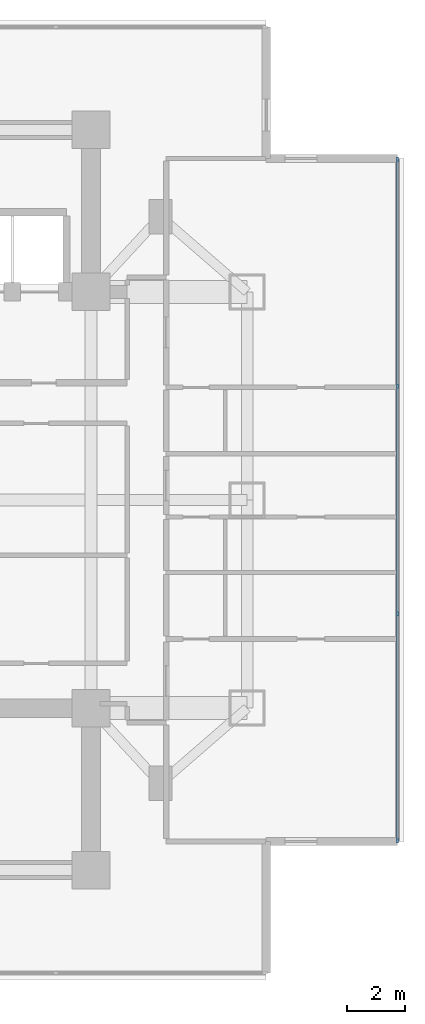
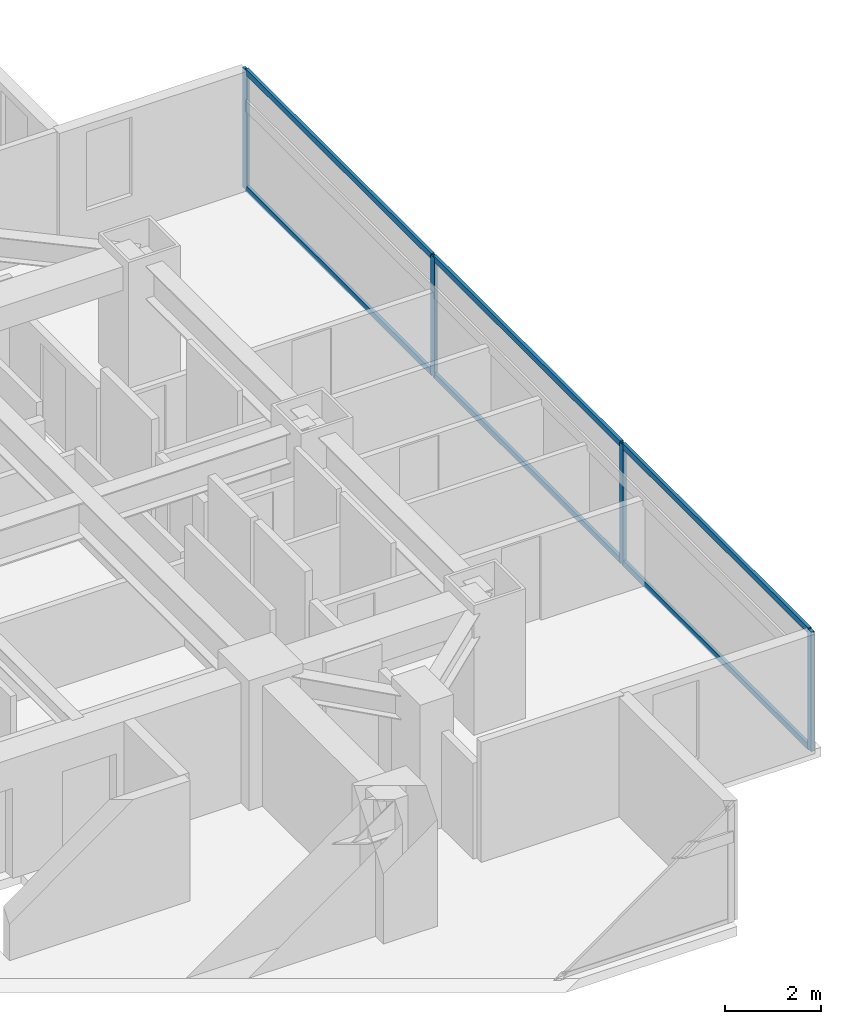
# One storey, part 11 of 27: 10 members, 1 element without a shape of its own.
"""IFC4 building model written with IfcOpenShell, lengths in metres."""

from ifc_helpers import new_model, si_unit, direction, frame, origin, origin_2d, place, context, subcontext, project, spatial, rectangle, extrude, material, material_profile, profile_set, type_object, element, aggregate, save


model = new_model("IFC4")

# Units and contexts
model_context = context("Model", 3, precision=1e-05, world=origin(), true_north=direction((0.0, 1.0)))
body_context = subcontext(model_context, "Body", "Model", "MODEL_VIEW")
ifc_project = project(units=[si_unit("LENGTHUNIT", "METRE"), si_unit("AREAUNIT", "SQUARE_METRE"), si_unit("VOLUMEUNIT", "CUBIC_METRE"), si_unit("PLANEANGLEUNIT", "RADIAN"), si_unit("MASSUNIT", "GRAM", prefix="KILO")], contexts=[model_context])

# Site, building, storey
site_placement = place(None, origin())
site = spatial("IfcSite", under=ifc_project, at=site_placement, CompositionType="ELEMENT")
building_placement = place(site_placement, origin())
building = spatial("IfcBuilding", under=site, at=building_placement, Name="Mirazonda Arch Towers", CompositionType="ELEMENT")
storey_placement = place(building_placement, frame((0.0, 0.0, 75.199951171875)))
storey = spatial("IfcBuildingStorey", under=building, at=storey_placement, Name="L21", CompositionType="ELEMENT", Elevation=75.199951171875)

# Curtain wall, members
ifc_material_1 = material(Name="Anodised Aluminium and Low-E Glass", Category="aluminium")
curtain_wall_type = type_object("IfcCurtainWallType", Name="CW-HTL-UNIT", PredefinedType="NOTDEFINED", material=ifc_material_1)
curtain_wall_placement = place(storey_placement, origin())
curtain_wall = element("IfcCurtainWall", 1, at=curtain_wall_placement, inside=storey, type_object=curtain_wall_type, Name="L21 T2 E Facade CW-L21-T2-E", PredefinedType="NOTDEFINED")
ifc_material_2 = material(Name="Anodised Aluminium Alloy", Category="aluminium")
ifc_material_profile_1 = material_profile(ifc_material_2, rectangle(XDim=0.074951171875, YDim=0.1650390625, at=origin_2d()), Name="ALU-MULL-75x165")
ifc_profile_set_1 = profile_set([ifc_material_profile_1], Name="Anodised Aluminium Alloy")
member_type_1 = type_object("IfcMemberType", Name="MULL-CW-HTL-UNIT", PredefinedType="MULLION", material=ifc_profile_set_1)
member_1_placement = place(storey_placement, frame((95.60595703125, 16.224365234375, 0.0), z_axis=(0.0, 0.0, 1.0), x_axis=(-1.0, 0.0, 0.0)))
member_1 = element("IfcMember", 2, at=member_1_placement, type_object=member_type_1, Name="CW-112 mullion 1", PredefinedType="MULLION", context=body_context, shape_type="SweptSolid", body=[
    extrude(rectangle(XDim=0.074951171875, YDim=0.1650390625, at=origin_2d()), origin(), (0.0, 0.0, 1.0), 3.0400390625),
])
member_2_placement = place(storey_placement, frame((95.60595703125, 24.062255859375, 0.0), z_axis=(0.0, 0.0, 1.0), x_axis=(-1.0, 0.0, 0.0)))
member_2 = element("IfcMember", 3, at=member_2_placement, type_object=member_type_1, Name="CW-112 mullion 2", PredefinedType="MULLION", context=body_context, shape_type="SweptSolid", body=[
    extrude(rectangle(XDim=0.074951171875, YDim=0.1650390625, at=origin_2d()), origin(), (0.0, 0.0, 1.0), 3.0400390625),
])
member_3_placement = place(storey_placement, frame((95.60595703125, 31.937744140625, 0.0), z_axis=(0.0, 0.0, 1.0), x_axis=(-1.0, 0.0, 0.0)))
member_3 = element("IfcMember", 4, at=member_3_placement, type_object=member_type_1, Name="CW-112 mullion 3", PredefinedType="MULLION", context=body_context, shape_type="SweptSolid", body=[
    extrude(rectangle(XDim=0.074951171875, YDim=0.1650390625, at=origin_2d()), origin(), (0.0, 0.0, 1.0), 3.0400390625),
])
member_4_placement = place(storey_placement, frame((95.60595703125, 39.775634765625, 0.0), z_axis=(0.0, 0.0, 1.0), x_axis=(-1.0, 0.0, 0.0)))
member_4 = element("IfcMember", 5, at=member_4_placement, type_object=member_type_1, Name="CW-112 mullion 4", PredefinedType="MULLION", context=body_context, shape_type="SweptSolid", body=[
    extrude(rectangle(XDim=0.074951171875, YDim=0.1650390625, at=origin_2d()), origin(), (0.0, 0.0, 1.0), 3.0400390625),
])
ifc_material_profile_2 = material_profile(ifc_material_2, rectangle(XDim=0.074951171875, YDim=0.14501953125, at=origin_2d()), Name="ALU-TRAN-75x145")
ifc_profile_set_2 = profile_set([ifc_material_profile_2], Name="Anodised Aluminium Alloy")
member_type_2 = type_object("IfcMemberType", Name="TRAN-CW-HTL-UNIT", PredefinedType="USERDEFINED", material=ifc_profile_set_2)
member_5_placement = place(storey_placement, frame((95.60595703125, 16.261962890625, 0.03759765625), z_axis=(0.0, 1.0, 0.0), x_axis=(-1.0, 0.0, 0.0)))
member_5 = element("IfcMember", 6, at=member_5_placement, type_object=member_type_2, Name="CW-112 transom 1.1", ObjectType="TRANSOM", PredefinedType="USERDEFINED", context=body_context, shape_type="SweptSolid", body=[
    extrude(rectangle(XDim=0.074951171875, YDim=0.14501953125, at=origin_2d()), origin(), (0.0, 0.0, 1.0), 7.762939453125),
])
member_6_placement = place(storey_placement, frame((95.60595703125, 16.261962890625, 3.00244140625), z_axis=(0.0, 1.0, 0.0), x_axis=(-1.0, 0.0, 0.0)))
member_6 = element("IfcMember", 7, at=member_6_placement, type_object=member_type_2, Name="CW-112 transom 1.2", ObjectType="TRANSOM", PredefinedType="USERDEFINED", context=body_context, shape_type="SweptSolid", body=[
    extrude(rectangle(XDim=0.074951171875, YDim=0.14501953125, at=origin_2d()), origin(), (0.0, 0.0, 1.0), 7.762939453125),
])
member_7_placement = place(storey_placement, frame((95.60595703125, 24.099853515625, 0.03759765625), z_axis=(0.0, 1.0, 0.0), x_axis=(-1.0, 0.0, 0.0)))
member_7 = element("IfcMember", 8, at=member_7_placement, type_object=member_type_2, Name="CW-112 transom 2.1", ObjectType="TRANSOM", PredefinedType="USERDEFINED", context=body_context, shape_type="SweptSolid", body=[
    extrude(rectangle(XDim=0.074951171875, YDim=0.14501953125, at=origin_2d()), origin(), (0.0, 0.0, 1.0), 7.80029296875),
])
member_8_placement = place(storey_placement, frame((95.60595703125, 24.099853515625, 3.00244140625), z_axis=(0.0, 1.0, 0.0), x_axis=(-1.0, 0.0, 0.0)))
member_8 = element("IfcMember", 9, at=member_8_placement, type_object=member_type_2, Name="CW-112 transom 2.2", ObjectType="TRANSOM", PredefinedType="USERDEFINED", context=body_context, shape_type="SweptSolid", body=[
    extrude(rectangle(XDim=0.074951171875, YDim=0.14501953125, at=origin_2d()), origin(), (0.0, 0.0, 1.0), 7.80029296875),
])
member_9_placement = place(storey_placement, frame((95.60595703125, 31.97509765625, 0.03759765625), z_axis=(0.0, 1.0, 0.0), x_axis=(-1.0, 0.0, 0.0)))
member_9 = element("IfcMember", 10, at=member_9_placement, type_object=member_type_2, Name="CW-112 transom 3.1", ObjectType="TRANSOM", PredefinedType="USERDEFINED", context=body_context, shape_type="SweptSolid", body=[
    extrude(rectangle(XDim=0.074951171875, YDim=0.14501953125, at=origin_2d()), origin(), (0.0, 0.0, 1.0), 7.762939453125),
])
member_10_placement = place(storey_placement, frame((95.60595703125, 31.97509765625, 3.00244140625), z_axis=(0.0, 1.0, 0.0), x_axis=(-1.0, 0.0, 0.0)))
member_10 = element("IfcMember", 11, at=member_10_placement, type_object=member_type_2, Name="CW-112 transom 3.2", ObjectType="TRANSOM", PredefinedType="USERDEFINED", context=body_context, shape_type="SweptSolid", body=[
    extrude(rectangle(XDim=0.074951171875, YDim=0.14501953125, at=origin_2d()), origin(), (0.0, 0.0, 1.0), 7.762939453125),
])
aggregate(curtain_wall, [member_1, member_2, member_3, member_4, member_5, member_6, member_7, member_8, member_9, member_10])

save(model, "model.ifc")
